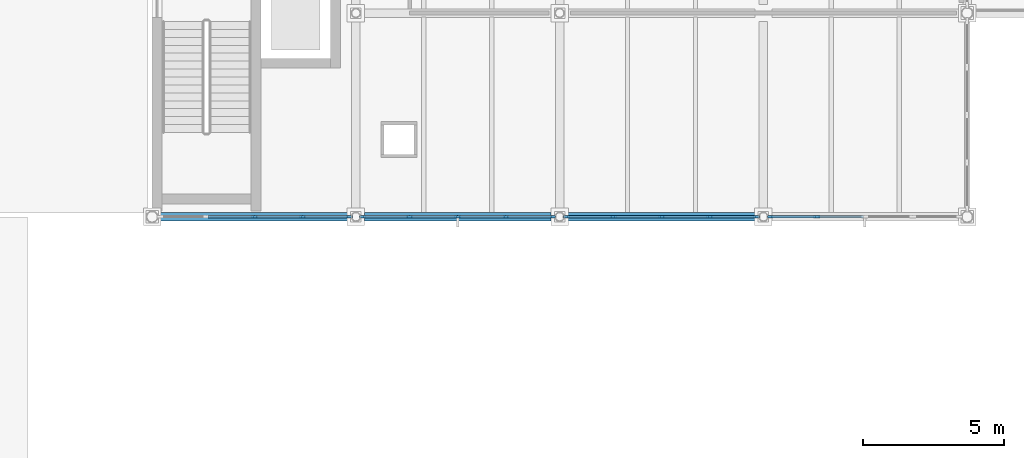
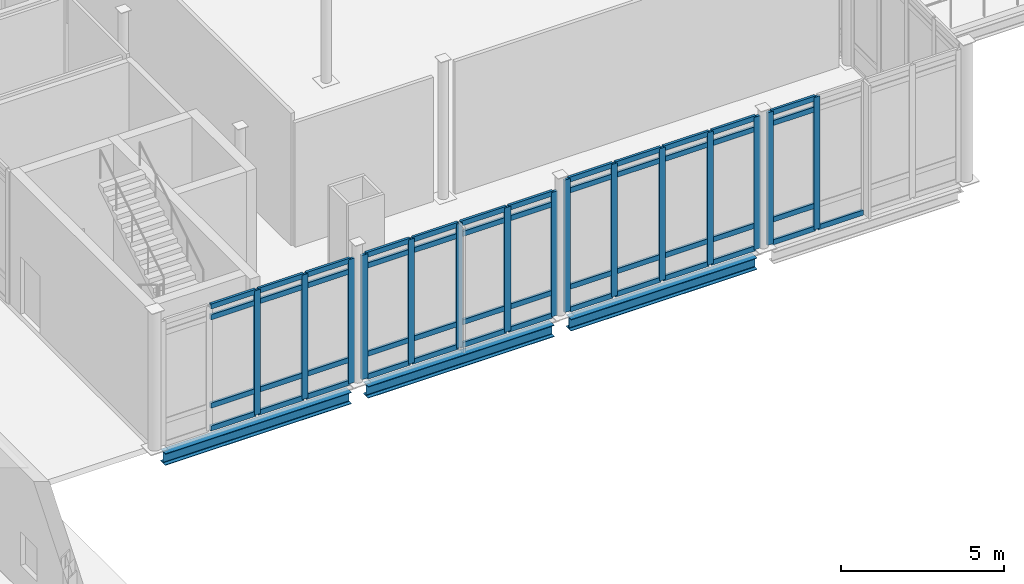
# One storey, part 23 of 89: 64 members, 3 beams, 4 elements without a shape of their own.
"""IFC4 building model written with IfcOpenShell, lengths in metres."""

from ifc_helpers import new_model, si_unit, direction, frame, origin, origin_2d, place, context, subcontext, project, spatial, rectangle, i_section, extrude, material, layer, layer_set, material_profile, profile_set, type_object, element, aggregate, save


model = new_model("IFC4")

# Units and contexts
model_context = context("Model", 3, precision=1e-05, world=origin(), true_north=direction((0.0, 1.0)))
body_context = subcontext(model_context, "Body", "Model", "MODEL_VIEW")
ifc_project = project(units=[si_unit("LENGTHUNIT", "METRE"), si_unit("AREAUNIT", "SQUARE_METRE"), si_unit("VOLUMEUNIT", "CUBIC_METRE"), si_unit("PLANEANGLEUNIT", "RADIAN"), si_unit("MASSUNIT", "GRAM", prefix="KILO")], contexts=[model_context])

# Site, building, storey
site_placement = place(None, origin())
site = spatial("IfcSite", under=ifc_project, at=site_placement, CompositionType="ELEMENT")
building_placement = place(site_placement, origin())
building = spatial("IfcBuilding", under=site, at=building_placement, Name="Zarrinpeak Specialist Clinic", CompositionType="ELEMENT")
storey_placement = place(building_placement, origin())
storey = spatial("IfcBuildingStorey", under=building, at=storey_placement, Name="L00", CompositionType="ELEMENT", Elevation=0.0)

# Beams
ifc_material_1 = material(Name="Steel S355", Category="steel")
ifc_material_profile_1 = material_profile(ifc_material_1, i_section(OverallWidth=0.300048828125, OverallDepth=0.43994140625, WebThickness=0.011474609375, FlangeThickness=0.02099609375, FilletRadius=0.027099609375, at=origin_2d()), Name="HEA 450")
ifc_profile_set_1 = profile_set([ifc_material_profile_1], Name="Steel S355")
beam_type = type_object("IfcBeamType", Name="BM-HEA450", PredefinedType="BEAM", material=ifc_profile_set_1)
for number, where, z_axis, x_axis, name in (
    (1, (93.89794921875, 28.800048828125, -0.469970703125), (1.0, 0.0, 0.0), (0.0, 1.0, 0.0), "L00 Primary Floor Girder BM-L00-X0052"),
    (2, (101.097900390625, 28.800048828125, -0.469970703125), (1.0, 0.0, 0.0), (0.0, 1.0, 0.0), "L00 Primary Floor Girder BM-L00-X0053"),
    (3, (108.298095703125, 28.800048828125, -0.469970703125), (1.0, 0.0, 0.0), (0.0, 1.0, 0.0), "L00 Primary Floor Girder BM-L00-X0054"),
):
    element("IfcBeam", number, at=place(storey_placement, frame(where, z_axis=z_axis, x_axis=x_axis)), inside=storey, type_object=beam_type, Name=name, PredefinedType="BEAM", context=body_context, shape_type="SweptSolid", body=[
        extrude(i_section(OverallWidth=0.300048828125, OverallDepth=0.43994140625, WebThickness=0.011474609375, FlangeThickness=0.02099609375, FilletRadius=0.027099609375, at=origin_2d()), origin(), (0.0, 0.0, 1.0), 6.60400390625),
    ])

# Curtain wall, members
ifc_material_2 = material(Name="Anodised Aluminium Alloy 6063-T6", Category="aluminium")
ifc_layer = layer(ifc_material_2, 0.199951171875)
ifc_layer_set = layer_set([ifc_layer], Name="Anodised Aluminium Alloy 6063-T6")
curtain_wall_type = type_object("IfcCurtainWallType", Name="CW-HALL", PredefinedType="NOTDEFINED", material=ifc_layer_set)
curtain_wall_1_placement = place(storey_placement, origin())
curtain_wall_1 = element("IfcCurtainWall", 4, at=curtain_wall_1_placement, inside=storey, type_object=curtain_wall_type, Name="L00 V3 Unitised Curtain Wall CW-L00-V3-079", PredefinedType="NOTDEFINED")
ifc_material_profile_2 = material_profile(ifc_material_2, rectangle(XDim=0.090087890625, YDim=0.219970703125, at=origin_2d()), Name="ALU 90x220")
ifc_profile_set_2 = profile_set([ifc_material_profile_2], Name="Anodised Aluminium Alloy 6063-T6")
member_type_1 = type_object("IfcMemberType", Name="CWM-90", PredefinedType="MULLION", material=ifc_profile_set_2)
member_1_placement = place(storey_placement, frame((97.220703125, 28.800048828125, 0.0), z_axis=(0.0, 0.0, 1.0), x_axis=(0.0, 1.0, 0.0)))
member_1 = element("IfcMember", 5, at=member_1_placement, type_object=member_type_1, Name="CW-02 mullion 3", PredefinedType="MULLION", context=body_context, shape_type="SweptSolid", body=[
    extrude(rectangle(XDim=0.090087890625, YDim=0.219970703125, at=origin_2d()), origin(), (0.0, 0.0, 1.0), 4.6650390625),
])
member_2_placement = place(storey_placement, frame((98.9169921875, 28.800048828125, 0.0), z_axis=(0.0, 0.0, 1.0), x_axis=(0.0, 1.0, 0.0)))
member_2 = element("IfcMember", 6, at=member_2_placement, type_object=member_type_1, Name="CW-02 mullion 4", PredefinedType="MULLION", context=body_context, shape_type="SweptSolid", body=[
    extrude(rectangle(XDim=0.090087890625, YDim=0.219970703125, at=origin_2d()), origin(), (0.0, 0.0, 1.0), 4.6650390625),
])
member_3_placement = place(storey_placement, frame((100.568115234375, 28.800048828125, 0.0), z_axis=(0.0, 0.0, 1.0), x_axis=(0.0, 1.0, 0.0)))
member_3 = element("IfcMember", 7, at=member_3_placement, type_object=member_type_1, Name="CW-02 mullion 5", PredefinedType="MULLION", context=body_context, shape_type="SweptSolid", body=[
    extrude(rectangle(XDim=0.090087890625, YDim=0.219970703125, at=origin_2d()), origin(), (0.0, 0.0, 1.0), 4.6650390625),
])

curtain_wall_2_placement = place(storey_placement, origin())
curtain_wall_2 = element("IfcCurtainWall", 8, at=curtain_wall_2_placement, inside=storey, type_object=curtain_wall_type, Name="L00 V3 Unitised Curtain Wall CW-L00-V3-080", PredefinedType="NOTDEFINED")
member_4_placement = place(storey_placement, frame((101.031982421875, 28.800048828125, 0.0), z_axis=(0.0, 0.0, 1.0), x_axis=(0.0, 1.0, 0.0)))
member_4 = element("IfcMember", 9, at=member_4_placement, type_object=member_type_1, Name="CW-02 mullion 1", PredefinedType="MULLION", context=body_context, shape_type="SweptSolid", body=[
    extrude(rectangle(XDim=0.090087890625, YDim=0.219970703125, at=origin_2d()), origin(), (0.0, 0.0, 1.0), 4.6650390625),
])
member_5_placement = place(storey_placement, frame((102.693359375, 28.800048828125, 0.0), z_axis=(0.0, 0.0, 1.0), x_axis=(0.0, 1.0, 0.0)))
member_5 = element("IfcMember", 10, at=member_5_placement, type_object=member_type_1, Name="CW-02 mullion 2", PredefinedType="MULLION", context=body_context, shape_type="SweptSolid", body=[
    extrude(rectangle(XDim=0.090087890625, YDim=0.219970703125, at=origin_2d()), origin(), (0.0, 0.0, 1.0), 4.6650390625),
])
member_6_placement = place(storey_placement, frame((104.39990234375, 28.800048828125, 0.0), z_axis=(0.0, 0.0, 1.0), x_axis=(0.0, 1.0, 0.0)))
member_6 = element("IfcMember", 11, at=member_6_placement, type_object=member_type_1, Name="CW-02 mullion 3", PredefinedType="MULLION", context=body_context, shape_type="SweptSolid", body=[
    extrude(rectangle(XDim=0.090087890625, YDim=0.219970703125, at=origin_2d()), origin(), (0.0, 0.0, 1.0), 4.6650390625),
])
member_7_placement = place(storey_placement, frame((106.1064453125, 28.800048828125, 0.0), z_axis=(0.0, 0.0, 1.0), x_axis=(0.0, 1.0, 0.0)))
member_7 = element("IfcMember", 12, at=member_7_placement, type_object=member_type_1, Name="CW-02 mullion 4", PredefinedType="MULLION", context=body_context, shape_type="SweptSolid", body=[
    extrude(rectangle(XDim=0.090087890625, YDim=0.219970703125, at=origin_2d()), origin(), (0.0, 0.0, 1.0), 4.6650390625),
])
member_8_placement = place(storey_placement, frame((107.76806640625, 28.800048828125, 0.0), z_axis=(0.0, 0.0, 1.0), x_axis=(0.0, 1.0, 0.0)))
member_8 = element("IfcMember", 13, at=member_8_placement, type_object=member_type_1, Name="CW-02 mullion 5", PredefinedType="MULLION", context=body_context, shape_type="SweptSolid", body=[
    extrude(rectangle(XDim=0.090087890625, YDim=0.219970703125, at=origin_2d()), origin(), (0.0, 0.0, 1.0), 4.6650390625),
])

curtain_wall_3_placement = place(storey_placement, origin())
curtain_wall_3 = element("IfcCurtainWall", 14, at=curtain_wall_3_placement, inside=storey, type_object=curtain_wall_type, Name="L00 V3 Unitised Curtain Wall CW-L00-V3-081", PredefinedType="NOTDEFINED")
member_9_placement = place(storey_placement, frame((108.23193359375, 28.800048828125, 0.0), z_axis=(0.0, 0.0, 1.0), x_axis=(0.0, 1.0, 0.0)))
member_9 = element("IfcMember", 15, at=member_9_placement, type_object=member_type_1, Name="CW-02 mullion 1", PredefinedType="MULLION", context=body_context, shape_type="SweptSolid", body=[
    extrude(rectangle(XDim=0.090087890625, YDim=0.219970703125, at=origin_2d()), origin(), (0.0, 0.0, 1.0), 4.969970703125),
])
member_10_placement = place(storey_placement, frame((109.8935546875, 28.800048828125, 0.0), z_axis=(0.0, 0.0, 1.0), x_axis=(0.0, 1.0, 0.0)))
member_10 = element("IfcMember", 16, at=member_10_placement, type_object=member_type_1, Name="CW-02 mullion 2", PredefinedType="MULLION", context=body_context, shape_type="SweptSolid", body=[
    extrude(rectangle(XDim=0.090087890625, YDim=0.219970703125, at=origin_2d()), origin(), (0.0, 0.0, 1.0), 4.969970703125),
])
member_11_placement = place(storey_placement, frame((111.60009765625, 28.800048828125, 0.0), z_axis=(0.0, 0.0, 1.0), x_axis=(0.0, 1.0, 0.0)))
member_11 = element("IfcMember", 17, at=member_11_placement, type_object=member_type_1, Name="CW-02 mullion 3", PredefinedType="MULLION", context=body_context, shape_type="SweptSolid", body=[
    extrude(rectangle(XDim=0.090087890625, YDim=0.219970703125, at=origin_2d()), origin(), (0.0, 0.0, 1.0), 4.969970703125),
])
member_12_placement = place(storey_placement, frame((113.306640625, 28.800048828125, 0.0), z_axis=(0.0, 0.0, 1.0), x_axis=(0.0, 1.0, 0.0)))
member_12 = element("IfcMember", 18, at=member_12_placement, type_object=member_type_1, Name="CW-02 mullion 4", PredefinedType="MULLION", context=body_context, shape_type="SweptSolid", body=[
    extrude(rectangle(XDim=0.090087890625, YDim=0.219970703125, at=origin_2d()), origin(), (0.0, 0.0, 1.0), 4.969970703125),
])
member_13_placement = place(storey_placement, frame((114.968017578125, 28.800048828125, 0.0), z_axis=(0.0, 0.0, 1.0), x_axis=(0.0, 1.0, 0.0)))
member_13 = element("IfcMember", 19, at=member_13_placement, type_object=member_type_1, Name="CW-02 mullion 5", PredefinedType="MULLION", context=body_context, shape_type="SweptSolid", body=[
    extrude(rectangle(XDim=0.090087890625, YDim=0.219970703125, at=origin_2d()), origin(), (0.0, 0.0, 1.0), 4.969970703125),
])

curtain_wall_4_placement = place(storey_placement, origin())
curtain_wall_4 = element("IfcCurtainWall", 20, at=curtain_wall_4_placement, inside=storey, type_object=curtain_wall_type, Name="L00 V3 Unitised Curtain Wall CW-L00-V3-082", PredefinedType="NOTDEFINED")
member_14_placement = place(storey_placement, frame((115.431884765625, 28.800048828125, 0.0), z_axis=(0.0, 0.0, 1.0), x_axis=(0.0, 1.0, 0.0)))
member_14 = element("IfcMember", 21, at=member_14_placement, type_object=member_type_1, Name="CW-02 mullion 1", PredefinedType="MULLION", context=body_context, shape_type="SweptSolid", body=[
    extrude(rectangle(XDim=0.090087890625, YDim=0.219970703125, at=origin_2d()), origin(), (0.0, 0.0, 1.0), 4.969970703125),
])
member_15_placement = place(storey_placement, frame((117.0830078125, 28.800048828125, 0.0), z_axis=(0.0, 0.0, 1.0), x_axis=(0.0, 1.0, 0.0)))
member_15 = element("IfcMember", 22, at=member_15_placement, type_object=member_type_1, Name="CW-02 mullion 2", PredefinedType="MULLION", context=body_context, shape_type="SweptSolid", body=[
    extrude(rectangle(XDim=0.090087890625, YDim=0.219970703125, at=origin_2d()), origin(), (0.0, 0.0, 1.0), 4.969970703125),
])

# Member
ifc_material_profile_3 = material_profile(ifc_material_2, rectangle(XDim=0.090087890625, YDim=0.18994140625, at=origin_2d()), Name="ALU 90x190")
ifc_profile_set_3 = profile_set([ifc_material_profile_3], Name="Anodised Aluminium Alloy 6063-T6")
member_type_2 = type_object("IfcMemberType", Name="CWT-90", PredefinedType="USERDEFINED", material=ifc_profile_set_3)
member_16_placement = place(storey_placement, frame((95.5693359375, 28.800048828125, 0.044921875), z_axis=(1.0, 0.0, 0.0), x_axis=(0.0, 1.0, 0.0)))
member_16 = element("IfcMember", 23, at=member_16_placement, type_object=member_type_2, Name="CW-02 transom 2.1", ObjectType="TRANSOM", PredefinedType="USERDEFINED", context=body_context, shape_type="SweptSolid", body=[
    extrude(rectangle(XDim=0.090087890625, YDim=0.18994140625, at=origin_2d()), origin(), (0.0, 0.0, 1.0), 1.606201171875),
])

member_17_placement = place(storey_placement, frame((95.5693359375, 28.800048828125, 0.89990234375), z_axis=(1.0, 0.0, 0.0), x_axis=(0.0, 1.0, 0.0)))
member_17 = element("IfcMember", 24, at=member_17_placement, type_object=member_type_2, Name="CW-02 transom 2.2", ObjectType="TRANSOM", PredefinedType="USERDEFINED", context=body_context, shape_type="SweptSolid", body=[
    extrude(rectangle(XDim=0.090087890625, YDim=0.18994140625, at=origin_2d()), origin(), (0.0, 0.0, 1.0), 1.606201171875),
])

member_18_placement = place(storey_placement, frame((95.5693359375, 28.800048828125, 4.215087890625), z_axis=(1.0, 0.0, 0.0), x_axis=(0.0, 1.0, 0.0)))
member_18 = element("IfcMember", 25, at=member_18_placement, type_object=member_type_2, Name="CW-02 transom 2.3", ObjectType="TRANSOM", PredefinedType="USERDEFINED", context=body_context, shape_type="SweptSolid", body=[
    extrude(rectangle(XDim=0.090087890625, YDim=0.18994140625, at=origin_2d()), origin(), (0.0, 0.0, 1.0), 1.606201171875),
])

member_19_placement = place(storey_placement, frame((95.5693359375, 28.800048828125, 4.6201171875), z_axis=(1.0, 0.0, 0.0), x_axis=(0.0, 1.0, 0.0)))
member_19 = element("IfcMember", 26, at=member_19_placement, type_object=member_type_2, Name="CW-02 transom 2.4", ObjectType="TRANSOM", PredefinedType="USERDEFINED", context=body_context, shape_type="SweptSolid", body=[
    extrude(rectangle(XDim=0.090087890625, YDim=0.18994140625, at=origin_2d()), origin(), (0.0, 0.0, 1.0), 1.606201171875),
])

member_20_placement = place(storey_placement, frame((97.265625, 28.800048828125, 0.044921875), z_axis=(1.0, 0.0, 0.0), x_axis=(0.0, 1.0, 0.0)))
member_20 = element("IfcMember", 27, at=member_20_placement, type_object=member_type_2, Name="CW-02 transom 3.1", ObjectType="TRANSOM", PredefinedType="USERDEFINED", context=body_context, shape_type="SweptSolid", body=[
    extrude(rectangle(XDim=0.090087890625, YDim=0.18994140625, at=origin_2d()), origin(), (0.0, 0.0, 1.0), 1.606201171875),
])

member_21_placement = place(storey_placement, frame((97.265625, 28.800048828125, 0.89990234375), z_axis=(1.0, 0.0, 0.0), x_axis=(0.0, 1.0, 0.0)))
member_21 = element("IfcMember", 28, at=member_21_placement, type_object=member_type_2, Name="CW-02 transom 3.2", ObjectType="TRANSOM", PredefinedType="USERDEFINED", context=body_context, shape_type="SweptSolid", body=[
    extrude(rectangle(XDim=0.090087890625, YDim=0.18994140625, at=origin_2d()), origin(), (0.0, 0.0, 1.0), 1.606201171875),
])

member_22_placement = place(storey_placement, frame((97.265625, 28.800048828125, 4.215087890625), z_axis=(1.0, 0.0, 0.0), x_axis=(0.0, 1.0, 0.0)))
member_22 = element("IfcMember", 29, at=member_22_placement, type_object=member_type_2, Name="CW-02 transom 3.3", ObjectType="TRANSOM", PredefinedType="USERDEFINED", context=body_context, shape_type="SweptSolid", body=[
    extrude(rectangle(XDim=0.090087890625, YDim=0.18994140625, at=origin_2d()), origin(), (0.0, 0.0, 1.0), 1.606201171875),
])

member_23_placement = place(storey_placement, frame((97.265625, 28.800048828125, 4.6201171875), z_axis=(1.0, 0.0, 0.0), x_axis=(0.0, 1.0, 0.0)))
member_23 = element("IfcMember", 30, at=member_23_placement, type_object=member_type_2, Name="CW-02 transom 3.4", ObjectType="TRANSOM", PredefinedType="USERDEFINED", context=body_context, shape_type="SweptSolid", body=[
    extrude(rectangle(XDim=0.090087890625, YDim=0.18994140625, at=origin_2d()), origin(), (0.0, 0.0, 1.0), 1.606201171875),
])

member_24_placement = place(storey_placement, frame((98.9619140625, 28.800048828125, 0.044921875), z_axis=(1.0, 0.0, 0.0), x_axis=(0.0, 1.0, 0.0)))
member_24 = element("IfcMember", 31, at=member_24_placement, type_object=member_type_2, Name="CW-02 transom 4.1", ObjectType="TRANSOM", PredefinedType="USERDEFINED", context=body_context, shape_type="SweptSolid", body=[
    extrude(rectangle(XDim=0.090087890625, YDim=0.18994140625, at=origin_2d()), origin(), (0.0, 0.0, 1.0), 1.561279296875),
])

member_25_placement = place(storey_placement, frame((98.9619140625, 28.800048828125, 0.89990234375), z_axis=(1.0, 0.0, 0.0), x_axis=(0.0, 1.0, 0.0)))
member_25 = element("IfcMember", 32, at=member_25_placement, type_object=member_type_2, Name="CW-02 transom 4.2", ObjectType="TRANSOM", PredefinedType="USERDEFINED", context=body_context, shape_type="SweptSolid", body=[
    extrude(rectangle(XDim=0.090087890625, YDim=0.18994140625, at=origin_2d()), origin(), (0.0, 0.0, 1.0), 1.561279296875),
])

member_26_placement = place(storey_placement, frame((98.9619140625, 28.800048828125, 4.215087890625), z_axis=(1.0, 0.0, 0.0), x_axis=(0.0, 1.0, 0.0)))
member_26 = element("IfcMember", 33, at=member_26_placement, type_object=member_type_2, Name="CW-02 transom 4.3", ObjectType="TRANSOM", PredefinedType="USERDEFINED", context=body_context, shape_type="SweptSolid", body=[
    extrude(rectangle(XDim=0.090087890625, YDim=0.18994140625, at=origin_2d()), origin(), (0.0, 0.0, 1.0), 1.561279296875),
])

member_27_placement = place(storey_placement, frame((98.9619140625, 28.800048828125, 4.6201171875), z_axis=(1.0, 0.0, 0.0), x_axis=(0.0, 1.0, 0.0)))
member_27 = element("IfcMember", 34, at=member_27_placement, type_object=member_type_2, Name="CW-02 transom 4.4", ObjectType="TRANSOM", PredefinedType="USERDEFINED", context=body_context, shape_type="SweptSolid", body=[
    extrude(rectangle(XDim=0.090087890625, YDim=0.18994140625, at=origin_2d()), origin(), (0.0, 0.0, 1.0), 1.561279296875),
])

aggregate(curtain_wall_1, [member_1, member_2, member_3, member_16, member_17, member_18, member_19, member_20, member_21, member_22, member_23, member_24, member_25, member_26, member_27])

member_28_placement = place(storey_placement, frame((101.076904296875, 28.800048828125, 0.044921875), z_axis=(1.0, 0.0, 0.0), x_axis=(0.0, 1.0, 0.0)))
member_28 = element("IfcMember", 35, at=member_28_placement, type_object=member_type_2, Name="CW-02 transom 1.1", ObjectType="TRANSOM", PredefinedType="USERDEFINED", context=body_context, shape_type="SweptSolid", body=[
    extrude(rectangle(XDim=0.090087890625, YDim=0.18994140625, at=origin_2d()), origin(), (0.0, 0.0, 1.0), 1.571533203125),
])

member_29_placement = place(storey_placement, frame((101.076904296875, 28.800048828125, 0.89990234375), z_axis=(1.0, 0.0, 0.0), x_axis=(0.0, 1.0, 0.0)))
member_29 = element("IfcMember", 36, at=member_29_placement, type_object=member_type_2, Name="CW-02 transom 1.2", ObjectType="TRANSOM", PredefinedType="USERDEFINED", context=body_context, shape_type="SweptSolid", body=[
    extrude(rectangle(XDim=0.090087890625, YDim=0.18994140625, at=origin_2d()), origin(), (0.0, 0.0, 1.0), 1.571533203125),
])

member_30_placement = place(storey_placement, frame((101.076904296875, 28.800048828125, 4.215087890625), z_axis=(1.0, 0.0, 0.0), x_axis=(0.0, 1.0, 0.0)))
member_30 = element("IfcMember", 37, at=member_30_placement, type_object=member_type_2, Name="CW-02 transom 1.3", ObjectType="TRANSOM", PredefinedType="USERDEFINED", context=body_context, shape_type="SweptSolid", body=[
    extrude(rectangle(XDim=0.090087890625, YDim=0.18994140625, at=origin_2d()), origin(), (0.0, 0.0, 1.0), 1.571533203125),
])

member_31_placement = place(storey_placement, frame((101.076904296875, 28.800048828125, 4.6201171875), z_axis=(1.0, 0.0, 0.0), x_axis=(0.0, 1.0, 0.0)))
member_31 = element("IfcMember", 38, at=member_31_placement, type_object=member_type_2, Name="CW-02 transom 1.4", ObjectType="TRANSOM", PredefinedType="USERDEFINED", context=body_context, shape_type="SweptSolid", body=[
    extrude(rectangle(XDim=0.090087890625, YDim=0.18994140625, at=origin_2d()), origin(), (0.0, 0.0, 1.0), 1.571533203125),
])

member_32_placement = place(storey_placement, frame((102.738525390625, 28.800048828125, 0.044921875), z_axis=(1.0, 0.0, 0.0), x_axis=(0.0, 1.0, 0.0)))
member_32 = element("IfcMember", 39, at=member_32_placement, type_object=member_type_2, Name="CW-02 transom 2.1", ObjectType="TRANSOM", PredefinedType="USERDEFINED", context=body_context, shape_type="SweptSolid", body=[
    extrude(rectangle(XDim=0.090087890625, YDim=0.18994140625, at=origin_2d()), origin(), (0.0, 0.0, 1.0), 1.616455078125),
])

member_33_placement = place(storey_placement, frame((102.738525390625, 28.800048828125, 0.89990234375), z_axis=(1.0, 0.0, 0.0), x_axis=(0.0, 1.0, 0.0)))
member_33 = element("IfcMember", 40, at=member_33_placement, type_object=member_type_2, Name="CW-02 transom 2.2", ObjectType="TRANSOM", PredefinedType="USERDEFINED", context=body_context, shape_type="SweptSolid", body=[
    extrude(rectangle(XDim=0.090087890625, YDim=0.18994140625, at=origin_2d()), origin(), (0.0, 0.0, 1.0), 1.616455078125),
])

member_34_placement = place(storey_placement, frame((102.738525390625, 28.800048828125, 4.215087890625), z_axis=(1.0, 0.0, 0.0), x_axis=(0.0, 1.0, 0.0)))
member_34 = element("IfcMember", 41, at=member_34_placement, type_object=member_type_2, Name="CW-02 transom 2.3", ObjectType="TRANSOM", PredefinedType="USERDEFINED", context=body_context, shape_type="SweptSolid", body=[
    extrude(rectangle(XDim=0.090087890625, YDim=0.18994140625, at=origin_2d()), origin(), (0.0, 0.0, 1.0), 1.616455078125),
])

member_35_placement = place(storey_placement, frame((102.738525390625, 28.800048828125, 4.6201171875), z_axis=(1.0, 0.0, 0.0), x_axis=(0.0, 1.0, 0.0)))
member_35 = element("IfcMember", 42, at=member_35_placement, type_object=member_type_2, Name="CW-02 transom 2.4", ObjectType="TRANSOM", PredefinedType="USERDEFINED", context=body_context, shape_type="SweptSolid", body=[
    extrude(rectangle(XDim=0.090087890625, YDim=0.18994140625, at=origin_2d()), origin(), (0.0, 0.0, 1.0), 1.616455078125),
])

member_36_placement = place(storey_placement, frame((104.445068359375, 28.800048828125, 0.044921875), z_axis=(1.0, 0.0, 0.0), x_axis=(0.0, 1.0, 0.0)))
member_36 = element("IfcMember", 43, at=member_36_placement, type_object=member_type_2, Name="CW-02 transom 3.1", ObjectType="TRANSOM", PredefinedType="USERDEFINED", context=body_context, shape_type="SweptSolid", body=[
    extrude(rectangle(XDim=0.090087890625, YDim=0.18994140625, at=origin_2d()), origin(), (0.0, 0.0, 1.0), 1.616455078125),
])

member_37_placement = place(storey_placement, frame((104.445068359375, 28.800048828125, 0.89990234375), z_axis=(1.0, 0.0, 0.0), x_axis=(0.0, 1.0, 0.0)))
member_37 = element("IfcMember", 44, at=member_37_placement, type_object=member_type_2, Name="CW-02 transom 3.2", ObjectType="TRANSOM", PredefinedType="USERDEFINED", context=body_context, shape_type="SweptSolid", body=[
    extrude(rectangle(XDim=0.090087890625, YDim=0.18994140625, at=origin_2d()), origin(), (0.0, 0.0, 1.0), 1.616455078125),
])

member_38_placement = place(storey_placement, frame((104.445068359375, 28.800048828125, 4.215087890625), z_axis=(1.0, 0.0, 0.0), x_axis=(0.0, 1.0, 0.0)))
member_38 = element("IfcMember", 45, at=member_38_placement, type_object=member_type_2, Name="CW-02 transom 3.3", ObjectType="TRANSOM", PredefinedType="USERDEFINED", context=body_context, shape_type="SweptSolid", body=[
    extrude(rectangle(XDim=0.090087890625, YDim=0.18994140625, at=origin_2d()), origin(), (0.0, 0.0, 1.0), 1.616455078125),
])

member_39_placement = place(storey_placement, frame((104.445068359375, 28.800048828125, 4.6201171875), z_axis=(1.0, 0.0, 0.0), x_axis=(0.0, 1.0, 0.0)))
member_39 = element("IfcMember", 46, at=member_39_placement, type_object=member_type_2, Name="CW-02 transom 3.4", ObjectType="TRANSOM", PredefinedType="USERDEFINED", context=body_context, shape_type="SweptSolid", body=[
    extrude(rectangle(XDim=0.090087890625, YDim=0.18994140625, at=origin_2d()), origin(), (0.0, 0.0, 1.0), 1.616455078125),
])

member_40_placement = place(storey_placement, frame((106.151611328125, 28.800048828125, 0.044921875), z_axis=(1.0, 0.0, 0.0), x_axis=(0.0, 1.0, 0.0)))
member_40 = element("IfcMember", 47, at=member_40_placement, type_object=member_type_2, Name="CW-02 transom 4.1", ObjectType="TRANSOM", PredefinedType="USERDEFINED", context=body_context, shape_type="SweptSolid", body=[
    extrude(rectangle(XDim=0.090087890625, YDim=0.18994140625, at=origin_2d()), origin(), (0.0, 0.0, 1.0), 1.571533203125),
])

member_41_placement = place(storey_placement, frame((106.151611328125, 28.800048828125, 0.89990234375), z_axis=(1.0, 0.0, 0.0), x_axis=(0.0, 1.0, 0.0)))
member_41 = element("IfcMember", 48, at=member_41_placement, type_object=member_type_2, Name="CW-02 transom 4.2", ObjectType="TRANSOM", PredefinedType="USERDEFINED", context=body_context, shape_type="SweptSolid", body=[
    extrude(rectangle(XDim=0.090087890625, YDim=0.18994140625, at=origin_2d()), origin(), (0.0, 0.0, 1.0), 1.571533203125),
])

member_42_placement = place(storey_placement, frame((106.151611328125, 28.800048828125, 4.215087890625), z_axis=(1.0, 0.0, 0.0), x_axis=(0.0, 1.0, 0.0)))
member_42 = element("IfcMember", 49, at=member_42_placement, type_object=member_type_2, Name="CW-02 transom 4.3", ObjectType="TRANSOM", PredefinedType="USERDEFINED", context=body_context, shape_type="SweptSolid", body=[
    extrude(rectangle(XDim=0.090087890625, YDim=0.18994140625, at=origin_2d()), origin(), (0.0, 0.0, 1.0), 1.571533203125),
])

member_43_placement = place(storey_placement, frame((106.151611328125, 28.800048828125, 4.6201171875), z_axis=(1.0, 0.0, 0.0), x_axis=(0.0, 1.0, 0.0)))
member_43 = element("IfcMember", 50, at=member_43_placement, type_object=member_type_2, Name="CW-02 transom 4.4", ObjectType="TRANSOM", PredefinedType="USERDEFINED", context=body_context, shape_type="SweptSolid", body=[
    extrude(rectangle(XDim=0.090087890625, YDim=0.18994140625, at=origin_2d()), origin(), (0.0, 0.0, 1.0), 1.571533203125),
])

aggregate(curtain_wall_2, [member_4, member_5, member_6, member_7, member_8, member_28, member_29, member_30, member_31, member_32, member_33, member_34, member_35, member_36, member_37, member_38, member_39, member_40, member_41, member_42, member_43])

member_44_placement = place(storey_placement, frame((108.27685546875, 28.800048828125, 0.044921875), z_axis=(1.0, 0.0, 0.0), x_axis=(0.0, 1.0, 0.0)))
member_44 = element("IfcMember", 51, at=member_44_placement, type_object=member_type_2, Name="CW-02 transom 1.1", ObjectType="TRANSOM", PredefinedType="USERDEFINED", context=body_context, shape_type="SweptSolid", body=[
    extrude(rectangle(XDim=0.090087890625, YDim=0.18994140625, at=origin_2d()), origin(), (0.0, 0.0, 1.0), 1.571533203125),
])

member_45_placement = place(storey_placement, frame((108.27685546875, 28.800048828125, 0.89990234375), z_axis=(1.0, 0.0, 0.0), x_axis=(0.0, 1.0, 0.0)))
member_45 = element("IfcMember", 52, at=member_45_placement, type_object=member_type_2, Name="CW-02 transom 1.2", ObjectType="TRANSOM", PredefinedType="USERDEFINED", context=body_context, shape_type="SweptSolid", body=[
    extrude(rectangle(XDim=0.090087890625, YDim=0.18994140625, at=origin_2d()), origin(), (0.0, 0.0, 1.0), 1.571533203125),
])

member_46_placement = place(storey_placement, frame((108.27685546875, 28.800048828125, 4.52001953125), z_axis=(1.0, 0.0, 0.0), x_axis=(0.0, 1.0, 0.0)))
member_46 = element("IfcMember", 53, at=member_46_placement, type_object=member_type_2, Name="CW-02 transom 1.3", ObjectType="TRANSOM", PredefinedType="USERDEFINED", context=body_context, shape_type="SweptSolid", body=[
    extrude(rectangle(XDim=0.090087890625, YDim=0.18994140625, at=origin_2d()), origin(), (0.0, 0.0, 1.0), 1.571533203125),
])

member_47_placement = place(storey_placement, frame((108.27685546875, 28.800048828125, 4.925048828125), z_axis=(1.0, 0.0, 0.0), x_axis=(0.0, 1.0, 0.0)))
member_47 = element("IfcMember", 54, at=member_47_placement, type_object=member_type_2, Name="CW-02 transom 1.4", ObjectType="TRANSOM", PredefinedType="USERDEFINED", context=body_context, shape_type="SweptSolid", body=[
    extrude(rectangle(XDim=0.090087890625, YDim=0.18994140625, at=origin_2d()), origin(), (0.0, 0.0, 1.0), 1.571533203125),
])

member_48_placement = place(storey_placement, frame((109.9384765625, 28.800048828125, 0.044921875), z_axis=(1.0, 0.0, 0.0), x_axis=(0.0, 1.0, 0.0)))
member_48 = element("IfcMember", 55, at=member_48_placement, type_object=member_type_2, Name="CW-02 transom 2.1", ObjectType="TRANSOM", PredefinedType="USERDEFINED", context=body_context, shape_type="SweptSolid", body=[
    extrude(rectangle(XDim=0.090087890625, YDim=0.18994140625, at=origin_2d()), origin(), (0.0, 0.0, 1.0), 1.616455078125),
])

member_49_placement = place(storey_placement, frame((109.9384765625, 28.800048828125, 0.89990234375), z_axis=(1.0, 0.0, 0.0), x_axis=(0.0, 1.0, 0.0)))
member_49 = element("IfcMember", 56, at=member_49_placement, type_object=member_type_2, Name="CW-02 transom 2.2", ObjectType="TRANSOM", PredefinedType="USERDEFINED", context=body_context, shape_type="SweptSolid", body=[
    extrude(rectangle(XDim=0.090087890625, YDim=0.18994140625, at=origin_2d()), origin(), (0.0, 0.0, 1.0), 1.616455078125),
])

member_50_placement = place(storey_placement, frame((109.9384765625, 28.800048828125, 4.52001953125), z_axis=(1.0, 0.0, 0.0), x_axis=(0.0, 1.0, 0.0)))
member_50 = element("IfcMember", 57, at=member_50_placement, type_object=member_type_2, Name="CW-02 transom 2.3", ObjectType="TRANSOM", PredefinedType="USERDEFINED", context=body_context, shape_type="SweptSolid", body=[
    extrude(rectangle(XDim=0.090087890625, YDim=0.18994140625, at=origin_2d()), origin(), (0.0, 0.0, 1.0), 1.616455078125),
])

member_51_placement = place(storey_placement, frame((109.9384765625, 28.800048828125, 4.925048828125), z_axis=(1.0, 0.0, 0.0), x_axis=(0.0, 1.0, 0.0)))
member_51 = element("IfcMember", 58, at=member_51_placement, type_object=member_type_2, Name="CW-02 transom 2.4", ObjectType="TRANSOM", PredefinedType="USERDEFINED", context=body_context, shape_type="SweptSolid", body=[
    extrude(rectangle(XDim=0.090087890625, YDim=0.18994140625, at=origin_2d()), origin(), (0.0, 0.0, 1.0), 1.616455078125),
])

member_52_placement = place(storey_placement, frame((111.64501953125, 28.800048828125, 0.044921875), z_axis=(1.0, 0.0, 0.0), x_axis=(0.0, 1.0, 0.0)))
member_52 = element("IfcMember", 59, at=member_52_placement, type_object=member_type_2, Name="CW-02 transom 3.1", ObjectType="TRANSOM", PredefinedType="USERDEFINED", context=body_context, shape_type="SweptSolid", body=[
    extrude(rectangle(XDim=0.090087890625, YDim=0.18994140625, at=origin_2d()), origin(), (0.0, 0.0, 1.0), 1.616455078125),
])

member_53_placement = place(storey_placement, frame((111.64501953125, 28.800048828125, 0.89990234375), z_axis=(1.0, 0.0, 0.0), x_axis=(0.0, 1.0, 0.0)))
member_53 = element("IfcMember", 60, at=member_53_placement, type_object=member_type_2, Name="CW-02 transom 3.2", ObjectType="TRANSOM", PredefinedType="USERDEFINED", context=body_context, shape_type="SweptSolid", body=[
    extrude(rectangle(XDim=0.090087890625, YDim=0.18994140625, at=origin_2d()), origin(), (0.0, 0.0, 1.0), 1.616455078125),
])

member_54_placement = place(storey_placement, frame((111.64501953125, 28.800048828125, 4.52001953125), z_axis=(1.0, 0.0, 0.0), x_axis=(0.0, 1.0, 0.0)))
member_54 = element("IfcMember", 61, at=member_54_placement, type_object=member_type_2, Name="CW-02 transom 3.3", ObjectType="TRANSOM", PredefinedType="USERDEFINED", context=body_context, shape_type="SweptSolid", body=[
    extrude(rectangle(XDim=0.090087890625, YDim=0.18994140625, at=origin_2d()), origin(), (0.0, 0.0, 1.0), 1.616455078125),
])

member_55_placement = place(storey_placement, frame((111.64501953125, 28.800048828125, 4.925048828125), z_axis=(1.0, 0.0, 0.0), x_axis=(0.0, 1.0, 0.0)))
member_55 = element("IfcMember", 62, at=member_55_placement, type_object=member_type_2, Name="CW-02 transom 3.4", ObjectType="TRANSOM", PredefinedType="USERDEFINED", context=body_context, shape_type="SweptSolid", body=[
    extrude(rectangle(XDim=0.090087890625, YDim=0.18994140625, at=origin_2d()), origin(), (0.0, 0.0, 1.0), 1.616455078125),
])

member_56_placement = place(storey_placement, frame((113.3515625, 28.800048828125, 0.044921875), z_axis=(1.0, 0.0, 0.0), x_axis=(0.0, 1.0, 0.0)))
member_56 = element("IfcMember", 63, at=member_56_placement, type_object=member_type_2, Name="CW-02 transom 4.1", ObjectType="TRANSOM", PredefinedType="USERDEFINED", context=body_context, shape_type="SweptSolid", body=[
    extrude(rectangle(XDim=0.090087890625, YDim=0.18994140625, at=origin_2d()), origin(), (0.0, 0.0, 1.0), 1.571533203125),
])

member_57_placement = place(storey_placement, frame((113.3515625, 28.800048828125, 0.89990234375), z_axis=(1.0, 0.0, 0.0), x_axis=(0.0, 1.0, 0.0)))
member_57 = element("IfcMember", 64, at=member_57_placement, type_object=member_type_2, Name="CW-02 transom 4.2", ObjectType="TRANSOM", PredefinedType="USERDEFINED", context=body_context, shape_type="SweptSolid", body=[
    extrude(rectangle(XDim=0.090087890625, YDim=0.18994140625, at=origin_2d()), origin(), (0.0, 0.0, 1.0), 1.571533203125),
])

member_58_placement = place(storey_placement, frame((113.3515625, 28.800048828125, 4.52001953125), z_axis=(1.0, 0.0, 0.0), x_axis=(0.0, 1.0, 0.0)))
member_58 = element("IfcMember", 65, at=member_58_placement, type_object=member_type_2, Name="CW-02 transom 4.3", ObjectType="TRANSOM", PredefinedType="USERDEFINED", context=body_context, shape_type="SweptSolid", body=[
    extrude(rectangle(XDim=0.090087890625, YDim=0.18994140625, at=origin_2d()), origin(), (0.0, 0.0, 1.0), 1.571533203125),
])

member_59_placement = place(storey_placement, frame((113.3515625, 28.800048828125, 4.925048828125), z_axis=(1.0, 0.0, 0.0), x_axis=(0.0, 1.0, 0.0)))
member_59 = element("IfcMember", 66, at=member_59_placement, type_object=member_type_2, Name="CW-02 transom 4.4", ObjectType="TRANSOM", PredefinedType="USERDEFINED", context=body_context, shape_type="SweptSolid", body=[
    extrude(rectangle(XDim=0.090087890625, YDim=0.18994140625, at=origin_2d()), origin(), (0.0, 0.0, 1.0), 1.571533203125),
])

aggregate(curtain_wall_3, [member_9, member_10, member_11, member_12, member_13, member_44, member_45, member_46, member_47, member_48, member_49, member_50, member_51, member_52, member_53, member_54, member_55, member_56, member_57, member_58, member_59])

member_60_placement = place(storey_placement, frame((115.476806640625, 28.800048828125, 0.044921875), z_axis=(1.0, 0.0, 0.0), x_axis=(0.0, 1.0, 0.0)))
member_60 = element("IfcMember", 67, at=member_60_placement, type_object=member_type_2, Name="CW-02 transom 1.1", ObjectType="TRANSOM", PredefinedType="USERDEFINED", context=body_context, shape_type="SweptSolid", body=[
    extrude(rectangle(XDim=0.090087890625, YDim=0.18994140625, at=origin_2d()), origin(), (0.0, 0.0, 1.0), 1.561279296875),
])

member_61_placement = place(storey_placement, frame((115.476806640625, 28.800048828125, 0.89990234375), z_axis=(1.0, 0.0, 0.0), x_axis=(0.0, 1.0, 0.0)))
member_61 = element("IfcMember", 68, at=member_61_placement, type_object=member_type_2, Name="CW-02 transom 1.2", ObjectType="TRANSOM", PredefinedType="USERDEFINED", context=body_context, shape_type="SweptSolid", body=[
    extrude(rectangle(XDim=0.090087890625, YDim=0.18994140625, at=origin_2d()), origin(), (0.0, 0.0, 1.0), 1.561279296875),
])

member_62_placement = place(storey_placement, frame((115.476806640625, 28.800048828125, 4.52001953125), z_axis=(1.0, 0.0, 0.0), x_axis=(0.0, 1.0, 0.0)))
member_62 = element("IfcMember", 69, at=member_62_placement, type_object=member_type_2, Name="CW-02 transom 1.3", ObjectType="TRANSOM", PredefinedType="USERDEFINED", context=body_context, shape_type="SweptSolid", body=[
    extrude(rectangle(XDim=0.090087890625, YDim=0.18994140625, at=origin_2d()), origin(), (0.0, 0.0, 1.0), 1.561279296875),
])

member_63_placement = place(storey_placement, frame((115.476806640625, 28.800048828125, 4.925048828125), z_axis=(1.0, 0.0, 0.0), x_axis=(0.0, 1.0, 0.0)))
member_63 = element("IfcMember", 70, at=member_63_placement, type_object=member_type_2, Name="CW-02 transom 1.4", ObjectType="TRANSOM", PredefinedType="USERDEFINED", context=body_context, shape_type="SweptSolid", body=[
    extrude(rectangle(XDim=0.090087890625, YDim=0.18994140625, at=origin_2d()), origin(), (0.0, 0.0, 1.0), 1.561279296875),
])

member_64_placement = place(storey_placement, frame((117.128173828125, 28.800048828125, 0.044921875), z_axis=(1.0, 0.0, 0.0), x_axis=(0.0, 1.0, 0.0)))
member_64 = element("IfcMember", 71, at=member_64_placement, type_object=member_type_2, Name="CW-02 transom 2.1", ObjectType="TRANSOM", PredefinedType="USERDEFINED", context=body_context, shape_type="SweptSolid", body=[
    extrude(rectangle(XDim=0.090087890625, YDim=0.18994140625, at=origin_2d()), origin(), (0.0, 0.0, 1.0), 1.606201171875),
])

aggregate(curtain_wall_4, [member_14, member_15, member_60, member_61, member_62, member_63, member_64])

save(model, "model.ifc")
